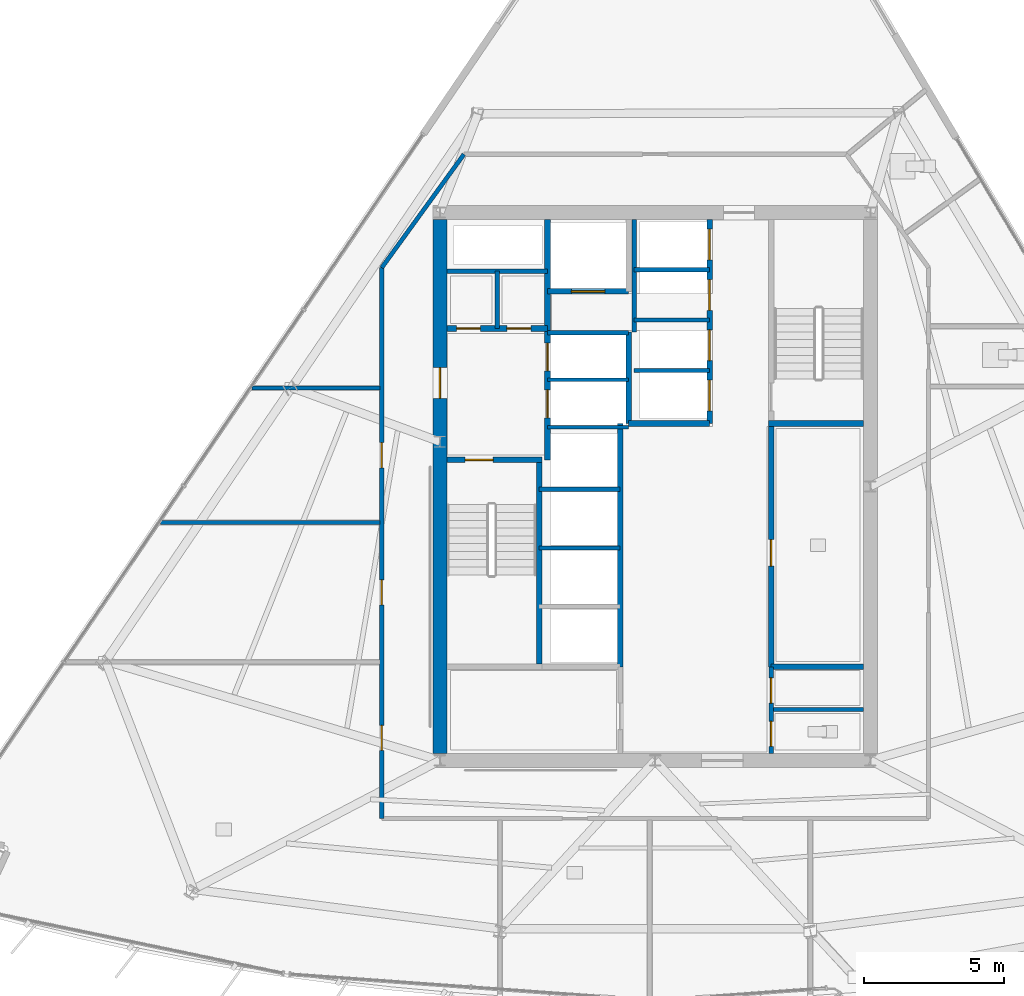
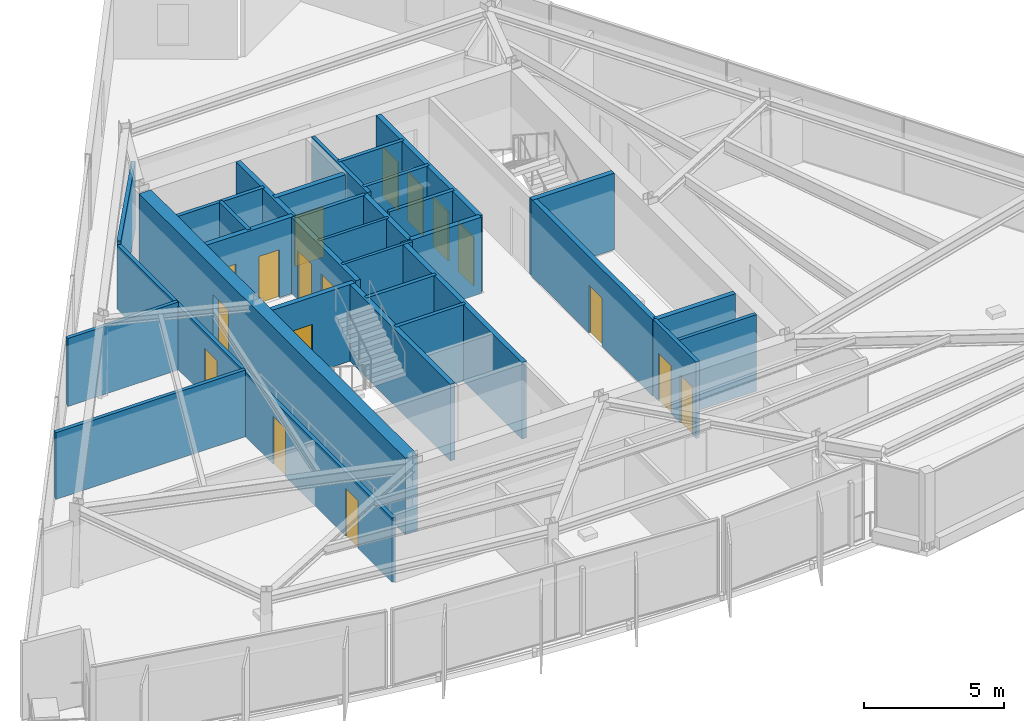
# One storey, part 8 of 13: 30 walls, 17 doors, 17 openings.
"""IFC4 building model written with IfcOpenShell, lengths in metres."""

from ifc_helpers import new_model, si_unit, direction, frame, frame_2d, origin, place, context, subcontext, project, spatial, rectangle, extrude, material, layer, layer_set, type_object, element, fill, save


model = new_model("IFC4")

# Units and contexts
model_context = context("Model", 3, precision=1e-05, world=origin(), true_north=direction((0.0, 1.0)))
body_context = subcontext(model_context, "Body", "Model", "MODEL_VIEW")
ifc_project = project(units=[si_unit("LENGTHUNIT", "METRE"), si_unit("AREAUNIT", "SQUARE_METRE"), si_unit("VOLUMEUNIT", "CUBIC_METRE"), si_unit("PLANEANGLEUNIT", "RADIAN"), si_unit("MASSUNIT", "GRAM", prefix="KILO")], contexts=[model_context])

# Site, building, storey
site_placement = place(None, origin())
site = spatial("IfcSite", under=ifc_project, at=site_placement, CompositionType="ELEMENT")
building_placement = place(site_placement, origin())
building = spatial("IfcBuilding", under=site, at=building_placement, Name="Savorim Split Tower", CompositionType="ELEMENT")
storey_placement = place(building_placement, frame((0.0, 0.0, 216.300048828125)))
storey = spatial("IfcBuildingStorey", under=building, at=storey_placement, Name="L57", CompositionType="ELEMENT", Elevation=216.300048828125)

# Wall, opening, door
ifc_material_1 = material(Name="Concrete C60/75", Category="concrete")
ifc_layer_1 = layer(ifc_material_1, 0.5)
ifc_layer_set_1 = layer_set([ifc_layer_1], Name="WAL-COR-SH500")
wall_type_1 = type_object("IfcWallType", Name="WAL-COR-SH500", PredefinedType="SHEAR", material=ifc_layer_set_1)
wall_1_placement = place(storey_placement, frame((-7.699951171875, -9.14990234375, 0.0), z_axis=(0.0, 0.0, 1.0), x_axis=(0.0, 1.0, 0.0)))
wall_1 = element("IfcWall", 1, at=wall_1_placement, inside=storey, type_object=wall_type_1, Name="L57 Offset Core West Shear Wall", PredefinedType="SHEAR", context=body_context, shape_type="SweptSolid", body=[
    extrude(rectangle(XDim=19.099853515625, YDim=0.5, at=frame_2d((9.5498046875, 0.0))), origin(), (0.0, 0.0, 1.0), 3.349853515625),
])
opening_1_placement = place(wall_1_placement, frame((12.699951171875, 0.0, 0.0)))
opening_1 = element("IfcOpeningElement", 2, at=opening_1_placement, cuts=wall_1, Name="Opening DI-03", PredefinedType="OPENING", context=body_context, shape_type="SweptSolid", body=[
    extrude(rectangle(XDim=1.10009765625, YDim=2.14990234375, at=frame_2d((0.550048828125, 1.074951171875))), frame((0.0, 0.260009765625, 0.0), z_axis=(0.0, -1.0, 0.0), x_axis=(1.0, 0.0, 0.0)), (0.0, 0.0, 1.0), 0.52001953125),
])
ifc_material_2 = material(Name="Timber Fire Door Leaf", Category="wood")
door_type_1 = type_object("IfcDoorType", Name="DOR-FIR-1100", OperationType="NOTDEFINED", PredefinedType="DOOR", material=ifc_material_2)
door_1_placement = place(opening_1_placement, origin())
door_1 = element("IfcDoor", 3, at=door_1_placement, inside=storey, type_object=door_type_1, Name="DOR-L57-COR-FFLOB - L57 Firefighting Lobby Corridor Door", OperationType="SINGLE_SWING_LEFT", OverallHeight=2.14990234375, OverallWidth=1.10009765625, PredefinedType="DOOR", context=body_context, shape_type="SweptSolid", body=[
    extrude(rectangle(XDim=1.10009765625, YDim=2.14990234375, at=frame_2d((0.550048828125, 1.074951171875))), frame((0.0, 0.02490234375, 0.0), z_axis=(0.0, -1.0, 0.0), x_axis=(1.0, 0.0, 0.0)), (0.0, 0.0, 1.0), 0.050048828125),
])
fill(opening_1, door_1)

ifc_material_3 = material(Name="Concrete C50/60", Category="concrete")
ifc_layer_2 = layer(ifc_material_3, 0.199951171875)
ifc_layer_set_2 = layer_set([ifc_layer_2], Name="WAL-INT-RC200")
wall_type_2 = type_object("IfcWallType", Name="WAL-INT-RC200", PredefinedType="SOLIDWALL", material=ifc_layer_set_2)
wall_2_placement = place(storey_placement, frame((-7.449951171875, 1.35009765625, 0.0), z_axis=(0.0, 0.0, 1.0), x_axis=(1.0, 0.0, 0.0)))
wall_2 = element("IfcWall", 4, at=wall_2_placement, inside=storey, type_object=wall_type_2, Name="L57 Structural Shaft Wall W-L57-CR01", PredefinedType="SOLIDWALL", context=body_context, shape_type="SweptSolid", body=[
    extrude(rectangle(XDim=3.39990234375, YDim=0.199951171875, at=frame_2d((1.699951171875, 0.0))), origin(), (0.0, 0.0, 1.0), 3.349853515625),
])
opening_2_placement = place(wall_2_placement, frame((0.64990234375, 0.0, 0.0)))
opening_2 = element("IfcOpeningElement", 5, at=opening_2_placement, cuts=wall_2, Name="Opening DI-04", PredefinedType="OPENING", context=body_context, shape_type="SweptSolid", body=[
    extrude(rectangle(XDim=1.0, YDim=2.14990234375, at=frame_2d((0.5, 1.074951171875))), frame((0.0, 0.10986328125, 0.0), z_axis=(0.0, -1.0, 0.0), x_axis=(1.0, 0.0, 0.0)), (0.0, 0.0, 1.0), 0.219970703125),
])
door_type_2 = type_object("IfcDoorType", Name="DOR-FIR-1000", OperationType="NOTDEFINED", PredefinedType="DOOR", material=ifc_material_2)
door_2_placement = place(opening_2_placement, origin())
door_2 = element("IfcDoor", 6, at=door_2_placement, inside=storey, type_object=door_type_2, Name="DR-L57-ST1 - L57 Stair ST-1 Enclosure Door", OperationType="SINGLE_SWING_LEFT", OverallHeight=2.14990234375, OverallWidth=1.0, PredefinedType="DOOR", context=body_context, shape_type="SweptSolid", body=[
    extrude(rectangle(XDim=1.0, YDim=2.14990234375, at=frame_2d((0.5, 1.074951171875))), frame((0.0, 0.02490234375, 0.0), z_axis=(0.0, -1.0, 0.0), x_axis=(1.0, 0.0, 0.0)), (0.0, 0.0, 1.0), 0.050048828125),
])
fill(opening_2, door_2)

# Wall
wall_3_placement = place(storey_placement, frame((-4.14990234375, -5.949951171875, 0.0), z_axis=(0.0, 0.0, 1.0), x_axis=(0.0, 1.0, 0.0)))
element("IfcWall", 7, at=wall_3_placement, inside=storey, type_object=wall_type_2, Name="L57 Structural Shaft Wall W-L57-CR02", PredefinedType="SOLIDWALL", context=body_context, shape_type="SweptSolid", body=[
    extrude(rectangle(XDim=7.199951171875, YDim=0.199951171875, at=frame_2d((3.60009765625, 0.0))), origin(), (0.0, 0.0, 1.0), 3.349853515625),
])

# Wall, openings, doors
wall_4_placement = place(storey_placement, frame((-3.85009765625, 1.35009765625, 0.0), z_axis=(0.0, 0.0, 1.0), x_axis=(0.0, 1.0, 0.0)))
wall_4 = element("IfcWall", 8, at=wall_4_placement, inside=storey, type_object=wall_type_2, Name="L57 Partition W-L57-CR03", PredefinedType="SOLIDWALL", context=body_context, shape_type="SweptSolid", body=[
    extrude(rectangle(XDim=8.594970703125, YDim=0.199951171875, at=frame_2d((4.29736328125, 0.0))), origin(), (0.0, 0.0, 1.0), 3.349853515625),
])
opening_3_placement = place(wall_4_placement, frame((1.5, 0.0, 0.0)))
opening_3 = element("IfcOpeningElement", 9, at=opening_3_placement, cuts=wall_4, Name="Opening LD-FFL", PredefinedType="OPENING", context=body_context, shape_type="SweptSolid", body=[
    extrude(rectangle(XDim=1.0, YDim=2.14990234375, at=frame_2d((0.5, 1.074951171875))), frame((0.0, 0.10986328125, 0.0), z_axis=(0.0, -1.0, 0.0), x_axis=(1.0, 0.0, 0.0)), (0.0, 0.0, 1.0), 0.219970703125),
])
opening_4_placement = place(wall_4_placement, frame((3.179931640625, 0.0, 0.0)))
opening_4 = element("IfcOpeningElement", 10, at=opening_4_placement, cuts=wall_4, Name="Opening LD-FFL", PredefinedType="OPENING", context=body_context, shape_type="SweptSolid", body=[
    extrude(rectangle(XDim=1.0, YDim=2.14990234375, at=frame_2d((0.5, 1.074951171875))), frame((0.0, 0.10986328125, 0.0), z_axis=(0.0, -1.0, 0.0), x_axis=(1.0, 0.0, 0.0)), (0.0, 0.0, 1.0), 0.219970703125),
])
ifc_material_4 = material(Name="Charcoal Anodised Aluminium", Category="aluminium")
door_type_3 = type_object("IfcDoorType", Name="DOR-SLD-LD1000", OperationType="NOTDEFINED", PredefinedType="DOOR", material=ifc_material_4)
door_3_placement = place(opening_3_placement, origin())
door_3 = element("IfcDoor", 11, at=door_3_placement, inside=storey, type_object=door_type_3, Name="DR-L57-LD-FFL1 - L57 Firefighting Lift FFL-1 Sliding Landing Door", OperationType="DOUBLE_DOOR_SLIDING", OverallHeight=2.14990234375, OverallWidth=1.0, PredefinedType="DOOR", context=body_context, shape_type="SweptSolid", body=[
    extrude(rectangle(XDim=1.0, YDim=2.14990234375, at=frame_2d((0.5, 1.074951171875))), frame((0.0, 0.02490234375, 0.0), z_axis=(0.0, -1.0, 0.0), x_axis=(1.0, 0.0, 0.0)), (0.0, 0.0, 1.0), 0.050048828125),
])
fill(opening_3, door_3)
door_4_placement = place(opening_4_placement, origin())
door_4 = element("IfcDoor", 12, at=door_4_placement, inside=storey, type_object=door_type_3, Name="DR-L57-LD-FFL2 - L57 Firefighting Lift FFL-2 Sliding Landing Door", OperationType="DOUBLE_DOOR_SLIDING", OverallHeight=2.14990234375, OverallWidth=1.0, PredefinedType="DOOR", context=body_context, shape_type="SweptSolid", body=[
    extrude(rectangle(XDim=1.0, YDim=2.14990234375, at=frame_2d((0.5, 1.074951171875))), frame((0.0, 0.02490234375, 0.0), z_axis=(0.0, -1.0, 0.0), x_axis=(1.0, 0.0, 0.0)), (0.0, 0.0, 1.0), 0.050048828125),
])
fill(opening_4, door_4)

wall_5_placement = place(storey_placement, frame((-7.445068359375, 6.050048828125, 0.0), z_axis=(0.0, 0.0, 1.0), x_axis=(1.0, 0.0, 0.0)))
wall_5 = element("IfcWall", 13, at=wall_5_placement, inside=storey, type_object=wall_type_2, Name="L57 Partition W-L57-CR04", PredefinedType="SOLIDWALL", context=body_context, shape_type="SweptSolid", body=[
    extrude(rectangle(XDim=3.594970703125, YDim=0.199951171875, at=frame_2d((1.79736328125, 0.0))), origin(), (0.0, 0.0, 1.0), 3.349853515625),
])
opening_5_placement = place(wall_5_placement, frame((0.344970703125, 0.0, 0.0)))
opening_5 = element("IfcOpeningElement", 14, at=opening_5_placement, cuts=wall_5, Name="Opening DI-12", PredefinedType="OPENING", context=body_context, shape_type="SweptSolid", body=[
    extrude(rectangle(XDim=0.85009765625, YDim=2.10009765625, at=frame_2d((0.425048828125, 1.050048828125))), frame((0.0, 0.10986328125, 0.0), z_axis=(0.0, -1.0, 0.0), x_axis=(1.0, 0.0, 0.0)), (0.0, 0.0, 1.0), 0.219970703125),
])
opening_6_placement = place(wall_5_placement, frame((2.14501953125, 0.0, 0.0)))
opening_6 = element("IfcOpeningElement", 15, at=opening_6_placement, cuts=wall_5, Name="Opening DI-12", PredefinedType="OPENING", context=body_context, shape_type="SweptSolid", body=[
    extrude(rectangle(XDim=0.85009765625, YDim=2.10009765625, at=frame_2d((0.425048828125, 1.050048828125))), frame((0.0, 0.10986328125, 0.0), z_axis=(0.0, -1.0, 0.0), x_axis=(1.0, 0.0, 0.0)), (0.0, 0.0, 1.0), 0.219970703125),
])
ifc_material_5 = material(Name="Galvanised Painted Steel Balustrade", Category="steel")
door_type_4 = type_object("IfcDoorType", Name="DOR-RIS-850", OperationType="NOTDEFINED", PredefinedType="DOOR", material=ifc_material_5)
door_5_placement = place(opening_5_placement, origin())
door_5 = element("IfcDoor", 16, at=door_5_placement, inside=storey, type_object=door_type_4, Name="DR-L57-ELR - L57 Electrical Riser Access Door", OperationType="SINGLE_SWING_RIGHT", OverallHeight=2.10009765625, OverallWidth=0.85009765625, PredefinedType="DOOR", context=body_context, shape_type="SweptSolid", body=[
    extrude(rectangle(XDim=0.85009765625, YDim=2.10009765625, at=frame_2d((0.425048828125, 1.050048828125))), frame((0.0, 0.02490234375, 0.0), z_axis=(0.0, -1.0, 0.0), x_axis=(1.0, 0.0, 0.0)), (0.0, 0.0, 1.0), 0.050048828125),
])
fill(opening_5, door_5)
door_6_placement = place(opening_6_placement, origin())
door_6 = element("IfcDoor", 17, at=door_6_placement, inside=storey, type_object=door_type_4, Name="DR-L57-TLR - L57 Telecom Riser Access Door", OperationType="SINGLE_SWING_LEFT", OverallHeight=2.10009765625, OverallWidth=0.85009765625, PredefinedType="DOOR", context=body_context, shape_type="SweptSolid", body=[
    extrude(rectangle(XDim=0.85009765625, YDim=2.10009765625, at=frame_2d((0.425048828125, 1.050048828125))), frame((0.0, 0.02490234375, 0.0), z_axis=(0.0, -1.0, 0.0), x_axis=(1.0, 0.0, 0.0)), (0.0, 0.0, 1.0), 0.050048828125),
])
fill(opening_6, door_6)

# Walls
wall_6_placement = place(storey_placement, frame((4.050048828125, 2.64990234375, 0.0), z_axis=(0.0, 0.0, 1.0), x_axis=(1.0, 0.0, 0.0)))
element("IfcWall", 18, at=wall_6_placement, inside=storey, type_object=wall_type_2, Name="L57 Structural Shaft Wall W-L57-CR08", PredefinedType="SOLIDWALL", context=body_context, shape_type="SweptSolid", body=[
    extrude(rectangle(XDim=3.39990234375, YDim=0.199951171875, at=frame_2d((1.699951171875, 0.0))), origin(), (0.0, 0.0, 1.0), 3.349853515625),
])
wall_7_placement = place(storey_placement, frame((-0.949951171875, 2.64990234375, 0.0), z_axis=(0.0, 0.0, 1.0), x_axis=(0.0, 1.0, 0.0)))
element("IfcWall", 19, at=wall_7_placement, inside=storey, type_object=wall_type_2, Name="L57 Partition W-L57-FFLW", PredefinedType="SOLIDWALL", context=body_context, shape_type="SweptSolid", body=[
    extrude(rectangle(XDim=3.27001953125, YDim=0.199951171875, at=frame_2d((1.635009765625, 0.0))), origin(), (0.0, 0.0, 1.0), 3.349853515625),
])

# Wall, opening, door
wall_8_placement = place(storey_placement, frame((-3.85009765625, 7.3798828125, 0.0), z_axis=(0.0, 0.0, 1.0), x_axis=(1.0, 0.0, 0.0)))
wall_8 = element("IfcWall", 20, at=wall_8_placement, inside=storey, type_object=wall_type_2, Name="L57 Partition W-L57-SVLS", PredefinedType="SOLIDWALL", context=body_context, shape_type="SweptSolid", body=[
    extrude(rectangle(XDim=2.900146484375, YDim=0.199951171875, at=frame_2d((1.4501953125, 0.0))), origin(), (0.0, 0.0, 1.0), 3.349853515625),
])
opening_7_placement = place(wall_8_placement, frame((0.85009765625, 0.0, 0.0)))
opening_7 = element("IfcOpeningElement", 21, at=opening_7_placement, cuts=wall_8, Name="Opening LD-SV", PredefinedType="OPENING", context=body_context, shape_type="SweptSolid", body=[
    extrude(rectangle(XDim=1.199951171875, YDim=2.199951171875, at=frame_2d((0.60009765625, 1.10009765625))), frame((0.0, 0.10986328125, 0.0), z_axis=(0.0, -1.0, 0.0), x_axis=(1.0, 0.0, 0.0)), (0.0, 0.0, 1.0), 0.219970703125),
])
door_type_5 = type_object("IfcDoorType", Name="DOR-SLD-SV1200", OperationType="NOTDEFINED", PredefinedType="DOOR", material=ifc_material_4)
door_7_placement = place(opening_7_placement, origin())
door_7 = element("IfcDoor", 22, at=door_7_placement, inside=storey, type_object=door_type_5, Name="DR-L57-LD-SVL1 - L57 Service Lift SVL-1 Sliding Landing Door", OperationType="DOUBLE_DOOR_SLIDING", OverallHeight=2.199951171875, OverallWidth=1.199951171875, PredefinedType="DOOR", context=body_context, shape_type="SweptSolid", body=[
    extrude(rectangle(XDim=1.199951171875, YDim=2.199951171875, at=frame_2d((0.60009765625, 1.10009765625))), frame((0.0, 0.02490234375, 0.0), z_axis=(0.0, -1.0, 0.0), x_axis=(1.0, 0.0, 0.0)), (0.0, 0.0, 1.0), 0.050048828125),
])
fill(opening_7, door_7)

wall_9_placement = place(storey_placement, frame((4.14990234375, -6.050048828125, 0.0), z_axis=(0.0, 0.0, 1.0), x_axis=(0.0, 1.0, 0.0)))
wall_9 = element("IfcWall", 23, at=wall_9_placement, inside=storey, type_object=wall_type_2, Name="L57 Partition W-L57-B1FRONT", PredefinedType="SOLIDWALL", context=body_context, shape_type="SweptSolid", body=[
    extrude(rectangle(XDim=8.699951171875, YDim=0.199951171875, at=frame_2d((4.35009765625, 0.0))), origin(), (0.0, 0.0, 1.0), 3.349853515625),
])
opening_8_placement = place(wall_9_placement, frame((3.60009765625, 0.0, 0.0)))
opening_8 = element("IfcOpeningElement", 24, at=opening_8_placement, cuts=wall_9, Name="Opening DI-05", PredefinedType="OPENING", context=body_context, shape_type="SweptSolid", body=[
    extrude(rectangle(XDim=0.949951171875, YDim=2.10009765625, at=frame_2d((0.47509765625, 1.050048828125))), frame((0.0, 0.10986328125, 0.0), z_axis=(0.0, -1.0, 0.0), x_axis=(1.0, 0.0, 0.0)), (0.0, 0.0, 1.0), 0.219970703125),
])
door_type_6 = type_object("IfcDoorType", Name="DOR-FIR-950", OperationType="NOTDEFINED", PredefinedType="DOOR", material=ifc_material_2)
door_8_placement = place(opening_8_placement, origin())
door_8 = element("IfcDoor", 25, at=door_8_placement, inside=storey, type_object=door_type_6, Name="DR-L57-LV7B1 - L57 Community Laundry Room Door", OperationType="SINGLE_SWING_RIGHT", OverallHeight=2.10009765625, OverallWidth=0.949951171875, PredefinedType="DOOR", context=body_context, shape_type="SweptSolid", body=[
    extrude(rectangle(XDim=0.949951171875, YDim=2.10009765625, at=frame_2d((0.47509765625, 1.050048828125))), frame((0.0, 0.02490234375, 0.0), z_axis=(0.0, -1.0, 0.0), x_axis=(1.0, 0.0, 0.0)), (0.0, 0.0, 1.0), 0.050048828125),
])
fill(opening_8, door_8)

# Wall
wall_10_placement = place(storey_placement, frame((-1.25, -6.050048828125, 0.0), z_axis=(0.0, 0.0, 1.0), x_axis=(0.0, 1.0, 0.0)))
element("IfcWall", 26, at=wall_10_placement, inside=storey, type_object=wall_type_2, Name="L57 Partition W-L57-B2FRONT", PredefinedType="SOLIDWALL", context=body_context, shape_type="SweptSolid", body=[
    extrude(rectangle(XDim=8.699951171875, YDim=0.199951171875, at=frame_2d((4.35009765625, 0.0))), origin(), (0.0, 0.0, 1.0), 3.349853515625),
])

# Wall, openings, doors
wall_11_placement = place(storey_placement, frame((1.949951171875, 2.64990234375, 0.0), z_axis=(0.0, 0.0, 1.0), x_axis=(0.0, 1.0, 0.0)))
wall_11 = element("IfcWall", 27, at=wall_11_placement, inside=storey, type_object=wall_type_2, Name="L57 Partition W-L57-B3FRONT", PredefinedType="SOLIDWALL", context=body_context, shape_type="SweptSolid", body=[
    extrude(rectangle(XDim=7.295166015625, YDim=0.199951171875, at=frame_2d((3.6474609375, 0.0))), origin(), (0.0, 0.0, 1.0), 3.349853515625),
])
opening_9_placement = place(wall_11_placement, frame((0.449951171875, 0.0, 0.0)))
opening_9 = element("IfcOpeningElement", 28, at=opening_9_placement, cuts=wall_11, Name="Opening LD-03", PredefinedType="OPENING", context=body_context, shape_type="SweptSolid", body=[
    extrude(rectangle(XDim=1.10009765625, YDim=2.14990234375, at=frame_2d((0.550048828125, 1.074951171875))), frame((0.0, 0.10986328125, 0.0), z_axis=(0.0, -1.0, 0.0), x_axis=(1.0, 0.0, 0.0)), (0.0, 0.0, 1.0), 0.219970703125),
])
opening_10_placement = place(wall_11_placement, frame((2.25, 0.0, 0.0)))
opening_10 = element("IfcOpeningElement", 29, at=opening_10_placement, cuts=wall_11, Name="Opening LD-03", PredefinedType="OPENING", context=body_context, shape_type="SweptSolid", body=[
    extrude(rectangle(XDim=1.10009765625, YDim=2.14990234375, at=frame_2d((0.550048828125, 1.074951171875))), frame((0.0, 0.10986328125, 0.0), z_axis=(0.0, -1.0, 0.0), x_axis=(1.0, 0.0, 0.0)), (0.0, 0.0, 1.0), 0.219970703125),
])
opening_11_placement = place(wall_11_placement, frame((4.050048828125, 0.0, 0.0)))
opening_11 = element("IfcOpeningElement", 30, at=opening_11_placement, cuts=wall_11, Name="Opening LD-03", PredefinedType="OPENING", context=body_context, shape_type="SweptSolid", body=[
    extrude(rectangle(XDim=1.10009765625, YDim=2.14990234375, at=frame_2d((0.550048828125, 1.074951171875))), frame((0.0, 0.10986328125, 0.0), z_axis=(0.0, -1.0, 0.0), x_axis=(1.0, 0.0, 0.0)), (0.0, 0.0, 1.0), 0.219970703125),
])
opening_12_placement = place(wall_11_placement, frame((5.85009765625, 0.0, 0.0)))
opening_12 = element("IfcOpeningElement", 31, at=opening_12_placement, cuts=wall_11, Name="Opening LD-03", PredefinedType="OPENING", context=body_context, shape_type="SweptSolid", body=[
    extrude(rectangle(XDim=1.10009765625, YDim=2.14990234375, at=frame_2d((0.550048828125, 1.074951171875))), frame((0.0, 0.10986328125, 0.0), z_axis=(0.0, -1.0, 0.0), x_axis=(1.0, 0.0, 0.0)), (0.0, 0.0, 1.0), 0.219970703125),
])
door_type_7 = type_object("IfcDoorType", Name="DOR-SLD-LDH1100", OperationType="NOTDEFINED", PredefinedType="DOOR", material=ifc_material_4)
door_9_placement = place(opening_9_placement, origin())
door_9 = element("IfcDoor", 32, at=door_9_placement, inside=storey, type_object=door_type_7, Name="DR-L57-LD-PLH1 - L57 Lift PL-H1 Sliding Landing Door", OperationType="DOUBLE_DOOR_SLIDING", OverallHeight=2.14990234375, OverallWidth=1.10009765625, PredefinedType="DOOR", context=body_context, shape_type="SweptSolid", body=[
    extrude(rectangle(XDim=1.10009765625, YDim=2.14990234375, at=frame_2d((0.550048828125, 1.074951171875))), frame((0.0, 0.02490234375, 0.0), z_axis=(0.0, -1.0, 0.0), x_axis=(1.0, 0.0, 0.0)), (0.0, 0.0, 1.0), 0.050048828125),
])
fill(opening_9, door_9)
door_10_placement = place(opening_10_placement, origin())
door_10 = element("IfcDoor", 33, at=door_10_placement, inside=storey, type_object=door_type_7, Name="DR-L57-LD-PLH2 - L57 Lift PL-H2 Sliding Landing Door", OperationType="DOUBLE_DOOR_SLIDING", OverallHeight=2.14990234375, OverallWidth=1.10009765625, PredefinedType="DOOR", context=body_context, shape_type="SweptSolid", body=[
    extrude(rectangle(XDim=1.10009765625, YDim=2.14990234375, at=frame_2d((0.550048828125, 1.074951171875))), frame((0.0, 0.02490234375, 0.0), z_axis=(0.0, -1.0, 0.0), x_axis=(1.0, 0.0, 0.0)), (0.0, 0.0, 1.0), 0.050048828125),
])
fill(opening_10, door_10)
door_11_placement = place(opening_11_placement, origin())
door_11 = element("IfcDoor", 34, at=door_11_placement, inside=storey, type_object=door_type_7, Name="DR-L57-LD-PLH3 - L57 Lift PL-H3 Sliding Landing Door", OperationType="DOUBLE_DOOR_SLIDING", OverallHeight=2.14990234375, OverallWidth=1.10009765625, PredefinedType="DOOR", context=body_context, shape_type="SweptSolid", body=[
    extrude(rectangle(XDim=1.10009765625, YDim=2.14990234375, at=frame_2d((0.550048828125, 1.074951171875))), frame((0.0, 0.02490234375, 0.0), z_axis=(0.0, -1.0, 0.0), x_axis=(1.0, 0.0, 0.0)), (0.0, 0.0, 1.0), 0.050048828125),
])
fill(opening_11, door_11)
door_12_placement = place(opening_12_placement, origin())
door_12 = element("IfcDoor", 35, at=door_12_placement, inside=storey, type_object=door_type_7, Name="DR-L57-LD-PLH4 - L57 Lift PL-H4 Sliding Landing Door", OperationType="DOUBLE_DOOR_SLIDING", OverallHeight=2.14990234375, OverallWidth=1.10009765625, PredefinedType="DOOR", context=body_context, shape_type="SweptSolid", body=[
    extrude(rectangle(XDim=1.10009765625, YDim=2.14990234375, at=frame_2d((0.550048828125, 1.074951171875))), frame((0.0, 0.02490234375, 0.0), z_axis=(0.0, -1.0, 0.0), x_axis=(1.0, 0.0, 0.0)), (0.0, 0.0, 1.0), 0.050048828125),
])
fill(opening_12, door_12)

# Walls
wall_12_placement = place(storey_placement, frame((-0.949951171875, 2.64990234375, 0.0), z_axis=(0.0, 0.0, 1.0), x_axis=(1.0, 0.0, 0.0)))
element("IfcWall", 36, at=wall_12_placement, inside=storey, type_object=wall_type_2, Name="L57 Partition W-L57-B3SOUTH", PredefinedType="SOLIDWALL", context=body_context, shape_type="SweptSolid", body=[
    extrude(rectangle(XDim=2.89990234375, YDim=0.199951171875, at=frame_2d((1.449951171875, 0.0))), origin(), (0.0, 0.0, 1.0), 3.349853515625),
])
wall_13_placement = place(storey_placement, frame((4.14990234375, -6.050048828125, 0.0), z_axis=(0.0, 0.0, 1.0), x_axis=(1.0, 0.0, 0.0)))
element("IfcWall", 37, at=wall_13_placement, inside=storey, type_object=wall_type_2, Name="L57 Partition W-L57-KSEP-E", PredefinedType="SOLIDWALL", context=body_context, shape_type="SweptSolid", body=[
    extrude(rectangle(XDim=3.295166015625, YDim=0.199951171875, at=frame_2d((1.6474609375, 0.0))), origin(), (0.0, 0.0, 1.0), 3.349853515625),
])
ifc_material_6 = material(Name="Acoustic Gypsum Partition Board")
ifc_layer_3 = layer(ifc_material_6, 0.1201171875)
ifc_layer_set_3 = layer_set([ifc_layer_3], Name="WAL-PAR-120")
wall_type_3 = type_object("IfcWallType", Name="WAL-PAR-120", PredefinedType="PARTITIONING", material=ifc_layer_set_3)
for number, where, z_axis, x_axis, name in (
    (38, (-3.85009765625, 2.52001953125, 0.0), (0.0, 0.0, 1.0), (1.0, 0.0, 0.0), "L57 Partition W-L57-FFLD0"),
    (39, (-3.85009765625, 4.219970703125, 0.0), (0.0, 0.0, 1.0), (1.0, 0.0, 0.0), "L57 Partition W-L57-FFLD1"),
):
    element("IfcWall", number, at=place(storey_placement, frame(where, z_axis=z_axis, x_axis=x_axis)), inside=storey, type_object=wall_type_3, Name=name, PredefinedType="PARTITIONING", context=body_context, shape_type="SweptSolid", body=[
        extrude(rectangle(XDim=2.900146484375, YDim=0.1201171875, at=frame_2d((1.4501953125, 0.0))), origin(), (0.0, 0.0, 1.0), 3.349853515625),
    ])
ifc_layer_4 = layer(ifc_material_6, 0.14990234375)
ifc_layer_set_4 = layer_set([ifc_layer_4], Name="WAL-PAR-150")
wall_type_4 = type_object("IfcWallType", Name="WAL-PAR-150", PredefinedType="PARTITIONING", material=ifc_layer_set_4)
wall_14_placement = place(storey_placement, frame((-7.445068359375, 8.10009765625, 0.0), z_axis=(0.0, 0.0, 1.0), x_axis=(1.0, 0.0, 0.0)))
element("IfcWall", 40, at=wall_14_placement, inside=storey, type_object=wall_type_4, Name="L57 Partition W-L57-CR05", PredefinedType="PARTITIONING", context=body_context, shape_type="SweptSolid", body=[
    extrude(rectangle(XDim=3.594970703125, YDim=0.14990234375, at=frame_2d((1.79736328125, 0.0))), origin(), (0.0, 0.0, 1.0), 3.349853515625),
])
wall_15_placement = place(storey_placement, frame((-5.64990234375, 6.050048828125, 0.0), z_axis=(0.0, 0.0, 1.0), x_axis=(0.0, 1.0, 0.0)))
element("IfcWall", 41, at=wall_15_placement, inside=storey, type_object=wall_type_4, Name="L57 Partition W-L57-CR06", PredefinedType="PARTITIONING", context=body_context, shape_type="SweptSolid", body=[
    extrude(rectangle(XDim=2.050048828125, YDim=0.14990234375, at=frame_2d((1.02490234375, 0.0))), origin(), (0.0, 0.0, 1.0), 3.349853515625),
])
wall_16_placement = place(storey_placement, frame((-3.85009765625, 5.89990234375, 0.0), z_axis=(0.0, 0.0, 1.0), x_axis=(1.0, 0.0, 0.0)))
element("IfcWall", 42, at=wall_16_placement, inside=storey, type_object=wall_type_4, Name="L57 Partition W-L57-FFLD2", PredefinedType="PARTITIONING", context=body_context, shape_type="SweptSolid", body=[
    extrude(rectangle(XDim=2.900146484375, YDim=0.14990234375, at=frame_2d((1.4501953125, 0.0))), origin(), (0.0, 0.0, 1.0), 3.349853515625),
])
for number, where, z_axis, x_axis, name in (
    (43, (-4.14990234375, -1.800048828125, 0.0), (0.0, 0.0, 1.0), (1.0, 0.0, 0.0), "L57 Partition W-L57-B2DIV2"),
    (44, (-4.14990234375, 0.300048828125, 0.0), (0.0, 0.0, 1.0), (1.0, 0.0, 0.0), "L57 Partition W-L57-B2DIV3"),
):
    element("IfcWall", number, at=place(storey_placement, frame(where, z_axis=z_axis, x_axis=x_axis)), inside=storey, type_object=wall_type_4, Name=name, PredefinedType="PARTITIONING", context=body_context, shape_type="SweptSolid", body=[
        extrude(rectangle(XDim=2.89990234375, YDim=0.14990234375, at=frame_2d((1.449951171875, 0.0))), origin(), (0.0, 0.0, 1.0), 3.349853515625),
    ])
wall_17_placement = place(storey_placement, frame((-0.75, 5.919921875, 0.0), z_axis=(0.0, 0.0, 1.0), x_axis=(0.0, 1.0, 0.0)))
element("IfcWall", 45, at=wall_17_placement, inside=storey, type_object=wall_type_4, Name="L57 Partition W-L57-B3WEST", PredefinedType="PARTITIONING", context=body_context, shape_type="SweptSolid", body=[
    extrude(rectangle(XDim=4.025146484375, YDim=0.14990234375, at=frame_2d((2.0126953125, 0.0))), origin(), (0.0, 0.0, 1.0), 3.349853515625),
])
for number, where, z_axis, x_axis, name in (
    (46, (-0.75, 4.550048828125, 0.0), (0.0, 0.0, 1.0), (1.0, 0.0, 0.0), "L57 Partition W-L57-B3DIV1"),
    (47, (-0.75, 6.35009765625, 0.0), (0.0, 0.0, 1.0), (1.0, 0.0, 0.0), "L57 Partition W-L57-B3DIV2"),
    (48, (-0.75, 8.14990234375, 0.0), (0.0, 0.0, 1.0), (1.0, 0.0, 0.0), "L57 Partition W-L57-B3DIV3"),
):
    element("IfcWall", number, at=place(storey_placement, frame(where, z_axis=z_axis, x_axis=x_axis)), inside=storey, type_object=wall_type_4, Name=name, PredefinedType="PARTITIONING", context=body_context, shape_type="SweptSolid", body=[
        extrude(rectangle(XDim=2.699951171875, YDim=0.14990234375, at=frame_2d((1.35009765625, 0.0))), origin(), (0.0, 0.0, 1.0), 3.349853515625),
    ])

# Wall, openings, doors
wall_18_placement = place(storey_placement, frame((4.14990234375, -9.14501953125, 0.0), z_axis=(0.0, 0.0, 1.0), x_axis=(0.0, 1.0, 0.0)))
wall_18 = element("IfcWall", 49, at=wall_18_placement, inside=storey, type_object=wall_type_4, Name="L57 Partition W-L57-KLOB-E", PredefinedType="PARTITIONING", context=body_context, shape_type="SweptSolid", body=[
    extrude(rectangle(XDim=3.094970703125, YDim=0.14990234375, at=frame_2d((1.54736328125, 0.0))), origin(), (0.0, 0.0, 1.0), 3.349853515625),
])
opening_13_placement = place(wall_18_placement, frame((0.2451171875, 0.0, 0.0)))
opening_13 = element("IfcOpeningElement", 50, at=opening_13_placement, cuts=wall_18, Name="Opening DI-11", PredefinedType="OPENING", context=body_context, shape_type="SweptSolid", body=[
    extrude(rectangle(XDim=0.89990234375, YDim=2.10009765625, at=frame_2d((0.449951171875, 1.050048828125))), frame((0.0, 0.0849609375, 0.0), z_axis=(0.0, -1.0, 0.0), x_axis=(1.0, 0.0, 0.0)), (0.0, 0.0, 1.0), 0.169921875),
])
opening_14_placement = place(wall_18_placement, frame((1.794921875, 0.0, 0.0)))
opening_14 = element("IfcOpeningElement", 51, at=opening_14_placement, cuts=wall_18, Name="Opening DI-06", PredefinedType="OPENING", context=body_context, shape_type="SweptSolid", body=[
    extrude(rectangle(XDim=0.89990234375, YDim=2.10009765625, at=frame_2d((0.449951171875, 1.050048828125))), frame((0.0, 0.0849609375, 0.0), z_axis=(0.0, -1.0, 0.0), x_axis=(1.0, 0.0, 0.0)), (0.0, 0.0, 1.0), 0.169921875),
])
door_type_8 = type_object("IfcDoorType", Name="DOR-FIR-900", OperationType="NOTDEFINED", PredefinedType="DOOR", material=ifc_material_2)
door_13_placement = place(opening_14_placement, origin())
door_13 = element("IfcDoor", 52, at=door_13_placement, inside=storey, type_object=door_type_8, Name="DR-L57-K3LCK - L57 Cleaning Store Door", OperationType="SINGLE_SWING_LEFT", OverallHeight=2.10009765625, OverallWidth=0.89990234375, PredefinedType="DOOR", context=body_context, shape_type="SweptSolid", body=[
    extrude(rectangle(XDim=0.89990234375, YDim=2.10009765625, at=frame_2d((0.449951171875, 1.050048828125))), frame((0.0, 0.02490234375, 0.0), z_axis=(0.0, -1.0, 0.0), x_axis=(1.0, 0.0, 0.0)), (0.0, 0.0, 1.0), 0.050048828125),
])
fill(opening_14, door_13)
ifc_material_7 = material(Name="Oak Veneer Acoustic Door")
door_type_9 = type_object("IfcDoorType", Name="DOR-WC-900", OperationType="NOTDEFINED", PredefinedType="DOOR", material=ifc_material_7)
door_14_placement = place(opening_13_placement, origin())
door_14 = element("IfcDoor", 53, at=door_14_placement, inside=storey, type_object=door_type_9, Name="DR-L57-K3AWC - L57 Core Accessible WC Door", OperationType="SINGLE_SWING_RIGHT", OverallHeight=2.10009765625, OverallWidth=0.89990234375, PredefinedType="DOOR", context=body_context, shape_type="SweptSolid", body=[
    extrude(rectangle(XDim=0.89990234375, YDim=2.10009765625, at=frame_2d((0.449951171875, 1.050048828125))), frame((0.0, 0.02490234375, 0.0), z_axis=(0.0, -1.0, 0.0), x_axis=(1.0, 0.0, 0.0)), (0.0, 0.0, 1.0), 0.050048828125),
])
fill(opening_13, door_14)

# Wall
wall_19_placement = place(storey_placement, frame((4.14990234375, -7.580078125, 0.0), z_axis=(0.0, 0.0, 1.0), x_axis=(1.0, 0.0, 0.0)))
element("IfcWall", 54, at=wall_19_placement, inside=storey, type_object=wall_type_4, Name="L57 Partition W-L57-K3H", PredefinedType="PARTITIONING", context=body_context, shape_type="SweptSolid", body=[
    extrude(rectangle(XDim=3.295166015625, YDim=0.14990234375, at=frame_2d((1.6474609375, 0.0))), origin(), (0.0, 0.0, 1.0), 3.349853515625),
])

# Wall, openings, doors
wall_20_placement = place(storey_placement, frame((-9.780029296875, -11.47998046875, 0.0), z_axis=(0.0, 0.0, 1.0), x_axis=(0.0, 1.0, 0.0)))
wall_20 = element("IfcWall", 55, at=wall_20_placement, inside=storey, type_object=wall_type_4, Name="L57 Partition W-L57-COR-01", PredefinedType="PARTITIONING", context=body_context, shape_type="SweptSolid", body=[
    extrude(rectangle(XDim=19.705810546875, YDim=0.14990234375, at=frame_2d((9.85302734375, 0.0))), origin(), (0.0, 0.0, 1.0), 2.824951171875),
])
opening_15_placement = place(wall_20_placement, frame((7.641357421875, 0.0, 0.0)))
opening_15 = element("IfcOpeningElement", 56, at=opening_15_placement, cuts=wall_20, Name="Opening DI-06", PredefinedType="OPENING", context=body_context, shape_type="SweptSolid", body=[
    extrude(rectangle(XDim=0.89990234375, YDim=2.10009765625, at=frame_2d((0.449951171875, 1.050048828125))), frame((0.0, 0.0849609375, 0.0), z_axis=(0.0, -1.0, 0.0), x_axis=(1.0, 0.0, 0.0)), (0.0, 0.0, 1.0), 0.169921875),
])
opening_16_placement = place(wall_20_placement, frame((2.43701171875, 0.0, 0.0)))
opening_16 = element("IfcOpeningElement", 57, at=opening_16_placement, cuts=wall_20, Name="Opening DI-06", PredefinedType="OPENING", context=body_context, shape_type="SweptSolid", body=[
    extrude(rectangle(XDim=0.89990234375, YDim=2.10009765625, at=frame_2d((0.449951171875, 1.050048828125))), frame((0.0, 0.0849609375, 0.0), z_axis=(0.0, -1.0, 0.0), x_axis=(1.0, 0.0, 0.0)), (0.0, 0.0, 1.0), 0.169921875),
])
opening_17_placement = place(wall_20_placement, frame((12.544921875, 0.0, 0.0)))
opening_17 = element("IfcOpeningElement", 58, at=opening_17_placement, cuts=wall_20, Name="Opening DI-06", PredefinedType="OPENING", context=body_context, shape_type="SweptSolid", body=[
    extrude(rectangle(XDim=0.89990234375, YDim=2.10009765625, at=frame_2d((0.449951171875, 1.050048828125))), frame((0.0, 0.0849609375, 0.0), z_axis=(0.0, -1.0, 0.0), x_axis=(1.0, 0.0, 0.0)), (0.0, 0.0, 1.0), 0.169921875),
])
door_15_placement = place(opening_15_placement, origin())
door_15 = element("IfcDoor", 59, at=door_15_placement, inside=storey, type_object=door_type_8, Name="DR-L57-RM01 - L57 Quiet Study Room Entry Door", OperationType="SINGLE_SWING_RIGHT", OverallHeight=2.10009765625, OverallWidth=0.89990234375, PredefinedType="DOOR", context=body_context, shape_type="SweptSolid", body=[
    extrude(rectangle(XDim=0.89990234375, YDim=2.10009765625, at=frame_2d((0.449951171875, 1.050048828125))), frame((0.0, 0.02490234375, 0.0), z_axis=(0.0, -1.0, 0.0), x_axis=(1.0, 0.0, 0.0)), (0.0, 0.0, 1.0), 0.050048828125),
])
fill(opening_15, door_15)
door_16_placement = place(opening_16_placement, origin())
door_16 = element("IfcDoor", 60, at=door_16_placement, inside=storey, type_object=door_type_8, Name="DR-L57-RM02 - L57 Community Laundry Room Entry Door", OperationType="SINGLE_SWING_LEFT", OverallHeight=2.10009765625, OverallWidth=0.89990234375, PredefinedType="DOOR", context=body_context, shape_type="SweptSolid", body=[
    extrude(rectangle(XDim=0.89990234375, YDim=2.10009765625, at=frame_2d((0.449951171875, 1.050048828125))), frame((0.0, 0.02490234375, 0.0), z_axis=(0.0, -1.0, 0.0), x_axis=(1.0, 0.0, 0.0)), (0.0, 0.0, 1.0), 0.050048828125),
])
fill(opening_16, door_16)
door_17_placement = place(opening_17_placement, origin())
door_17 = element("IfcDoor", 61, at=door_17_placement, inside=storey, type_object=door_type_8, Name="DR-L57-RM10 - L57 Quiet Study Room Entry Door", OperationType="SINGLE_SWING_LEFT", OverallHeight=2.10009765625, OverallWidth=0.89990234375, PredefinedType="DOOR", context=body_context, shape_type="SweptSolid", body=[
    extrude(rectangle(XDim=0.89990234375, YDim=2.10009765625, at=frame_2d((0.449951171875, 1.050048828125))), frame((0.0, 0.02490234375, 0.0), z_axis=(0.0, -1.0, 0.0), x_axis=(1.0, 0.0, 0.0)), (0.0, 0.0, 1.0), 0.050048828125),
])
fill(opening_17, door_17)

# Walls
wall_21_placement = place(storey_placement, frame((-9.780029296875, 8.225830078125, 0.0), z_axis=(0.0, 0.0, 1.0), x_axis=(0.586956386413, 0.809618552436, 0.0)))
element("IfcWall", 62, at=wall_21_placement, inside=storey, type_object=wall_type_4, Name="L57 Partition W-L57-COR-02", PredefinedType="PARTITIONING", context=body_context, shape_type="SweptSolid", body=[
    extrude(rectangle(XDim=5.007568359375, YDim=0.14990234375, at=frame_2d((2.50390625, 0.0))), origin(), (0.0, 0.0, 1.0), 2.974853515625),
])
wall_22_placement = place(storey_placement, frame((-9.840087890625, 3.9228515625, 0.0), z_axis=(0.0, 0.0, 1.0), x_axis=(-1.0, 0.0, 0.0)))
element("IfcWall", 63, at=wall_22_placement, inside=storey, type_object=wall_type_4, Name="L57 Partition W-L57-PRAD09", PredefinedType="PARTITIONING", context=body_context, shape_type="SweptSolid", body=[
    extrude(rectangle(XDim=4.575927734375, YDim=0.14990234375, at=frame_2d((2.2880859375, 0.0))), origin(), (0.0, 0.0, 1.0), 2.974853515625),
])
wall_23_placement = place(storey_placement, frame((-9.840087890625, -0.892822265625, 0.0), z_axis=(0.0, 0.0, 1.0), x_axis=(-1.0, 0.0, 0.0)))
element("IfcWall", 64, at=wall_23_placement, inside=storey, type_object=wall_type_4, Name="L57 Partition W-L57-SUB01", PredefinedType="PARTITIONING", context=body_context, shape_type="SweptSolid", body=[
    extrude(rectangle(XDim=7.851806640625, YDim=0.14990234375, at=frame_2d((3.92578125, 0.0))), origin(), (0.0, 0.0, 1.0), 2.925048828125),
])

save(model, "model.ifc")
